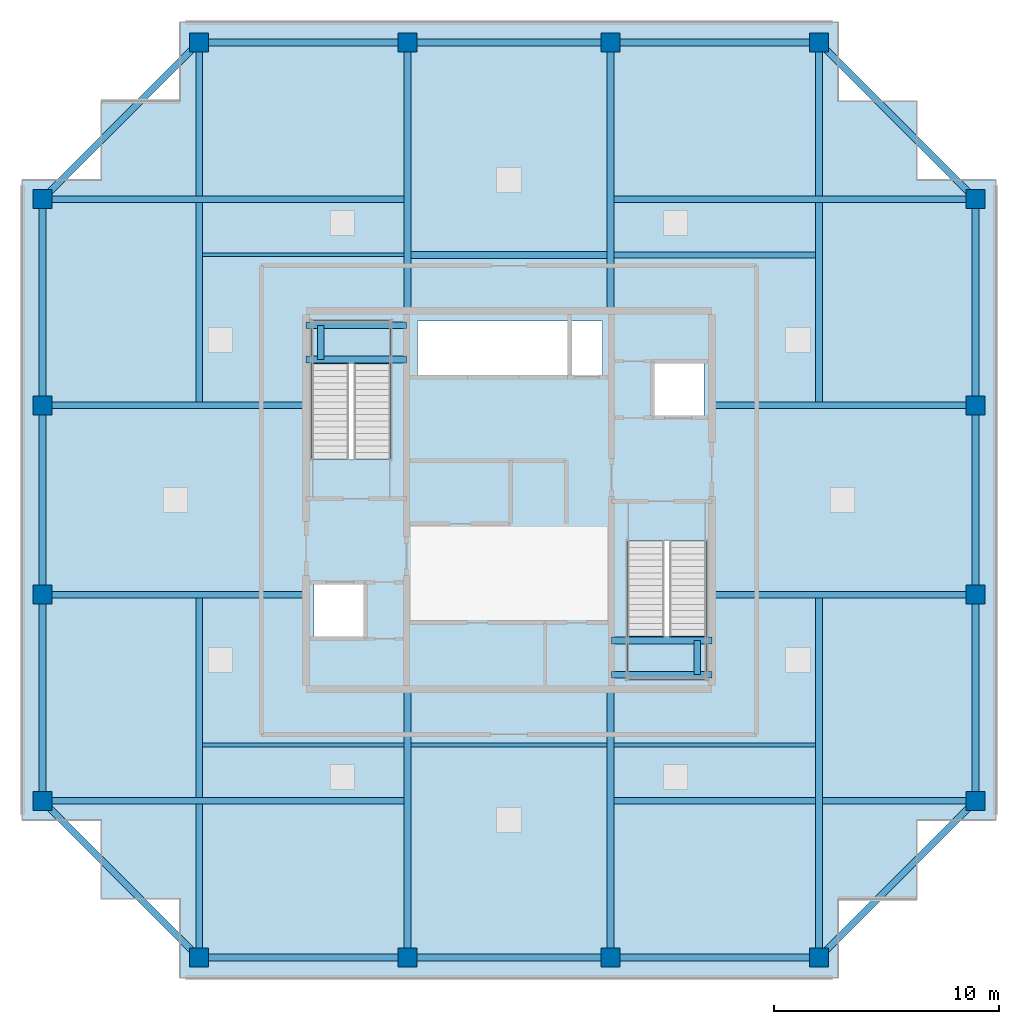
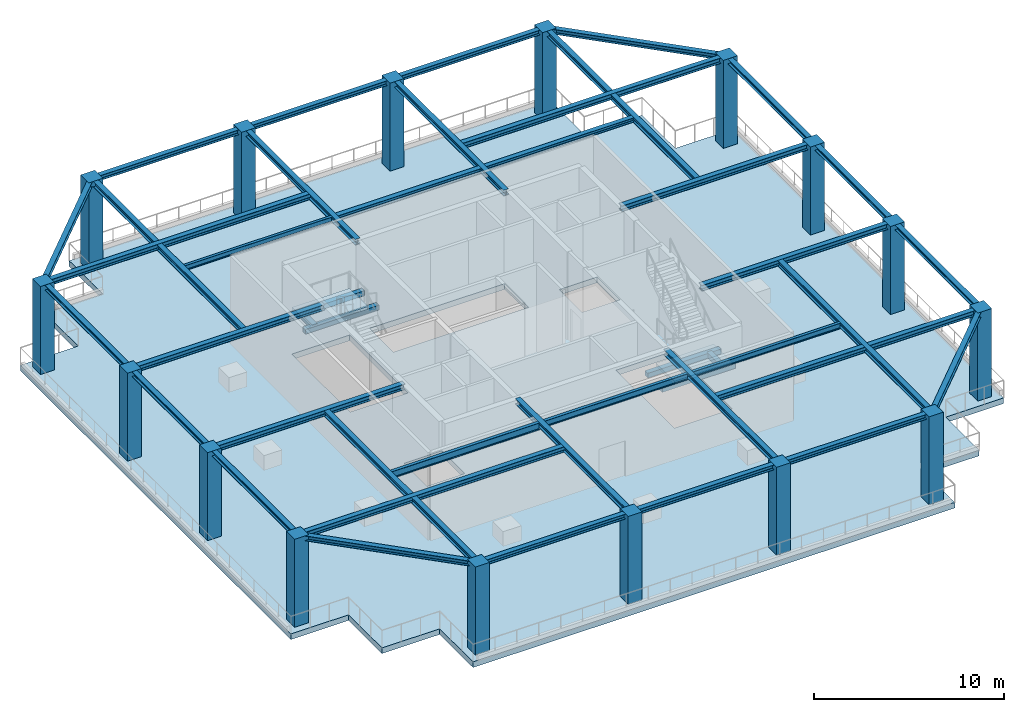
# One storey, part 1 of 10: 44 beams, 16 columns, 3 slabs, 2 elements without a shape of their own.
"""IFC4 building model written with IfcOpenShell, lengths in metres."""

from ifc_helpers import new_model, si_unit, direction, frame, origin, origin_2d, place, context, subcontext, project, spatial, polyline, rectangle, i_section, outline, extrude, source, transform, mapped, material, layer, layer_set, material_profile, profile_set, type_object, element, aggregate, save


model = new_model("IFC4")

# Units and contexts
model_context = context("Model", 3, precision=1e-05, world=origin(), true_north=direction((0.0, 1.0)))
body_context = subcontext(model_context, "Body", "Model", "MODEL_VIEW")
ifc_project = project(units=[si_unit("LENGTHUNIT", "METRE"), si_unit("AREAUNIT", "SQUARE_METRE"), si_unit("VOLUMEUNIT", "CUBIC_METRE"), si_unit("PLANEANGLEUNIT", "RADIAN"), si_unit("MASSUNIT", "GRAM", prefix="KILO")], contexts=[model_context])

# Site, building, storey
site_placement = place(None, origin())
site = spatial("IfcSite", under=ifc_project, at=site_placement, CompositionType="ELEMENT")
building_placement = place(site_placement, origin())
building = spatial("IfcBuilding", under=site, at=building_placement, Name="Serunith Strait Residences", CompositionType="ELEMENT")
storey_placement = place(building_placement, frame((0.0, 0.0, 359.75)))
storey = spatial("IfcBuildingStorey", under=building, at=storey_placement, Name="L88", CompositionType="ELEMENT", Elevation=359.75)

# Columns
ifc_material_1 = material(Name="Concrete C60/75", Category="concrete")
ifc_material_profile_1 = material_profile(ifc_material_1, rectangle(XDim=0.85009765625, YDim=0.85009765625, at=origin_2d()), Name="RC 850x850")
ifc_profile_set_1 = profile_set([ifc_material_profile_1], Name="Concrete C60/75")
column_type = type_object("IfcColumnType", Name="COL-RC-850", PredefinedType="COLUMN", material=ifc_profile_set_1)
shared_shape_1 = source(origin(), body_context, "Body", "SweptSolid", [
    extrude(rectangle(XDim=0.85009765625, YDim=0.85009765625, at=origin_2d()), origin(), (0.0, 0.0, 1.0), 6.0),
])
for number, where, z_axis, x_axis, name in (
    (1, (18.64990234375, 4.89990234375, -0.360107421875), (0.0, 0.0, 1.0), (1.0, 0.0, 0.0), "L88 Tower Mega-Column TC-S1"),
    (2, (27.89990234375, 4.89990234375, -0.360107421875), (0.0, 0.0, 1.0), (1.0, 0.0, 0.0), "L88 Tower Mega-Column TC-S2"),
    (3, (36.89990234375, 4.89990234375, -0.360107421875), (0.0, 0.0, 1.0), (1.0, 0.0, 0.0), "L88 Tower Mega-Column TC-S3"),
    (4, (46.14990234375, 4.89990234375, -0.360107421875), (0.0, 0.0, 1.0), (1.0, 0.0, 0.0), "L88 Tower Mega-Column TC-S4"),
    (5, (18.64990234375, 45.5, -0.360107421875), (0.0, 0.0, 1.0), (1.0, 0.0, 0.0), "L88 Tower Mega-Column TC-N1"),
    (6, (27.89990234375, 45.5, -0.360107421875), (0.0, 0.0, 1.0), (1.0, 0.0, 0.0), "L88 Tower Mega-Column TC-N2"),
    (7, (36.89990234375, 45.5, -0.360107421875), (0.0, 0.0, 1.0), (1.0, 0.0, 0.0), "L88 Tower Mega-Column TC-N3"),
    (8, (46.14990234375, 45.5, -0.360107421875), (0.0, 0.0, 1.0), (1.0, 0.0, 0.0), "L88 Tower Mega-Column TC-N4"),
    (9, (53.10009765625, 11.85009765625, -0.360107421875), (0.0, 0.0, 1.0), (1.0, 0.0, 0.0), "L88 Tower Mega-Column TC-E1"),
    (10, (53.10009765625, 21.0, -0.360107421875), (0.0, 0.0, 1.0), (1.0, 0.0, 0.0), "L88 Tower Mega-Column TC-E2"),
    (11, (53.10009765625, 29.39990234375, -0.360107421875), (0.0, 0.0, 1.0), (1.0, 0.0, 0.0), "L88 Tower Mega-Column TC-E3"),
    (12, (53.10009765625, 38.550048828125, -0.360107421875), (0.0, 0.0, 1.0), (1.0, 0.0, 0.0), "L88 Tower Mega-Column TC-E4"),
    (13, (11.699951171875, 11.85009765625, -0.360107421875), (0.0, 0.0, 1.0), (1.0, 0.0, 0.0), "L88 Tower Mega-Column TC-W1"),
    (14, (11.699951171875, 21.0, -0.360107421875), (0.0, 0.0, 1.0), (1.0, 0.0, 0.0), "L88 Tower Mega-Column TC-W2"),
    (15, (11.699951171875, 29.39990234375, -0.360107421875), (0.0, 0.0, 1.0), (1.0, 0.0, 0.0), "L88 Tower Mega-Column TC-W3"),
    (16, (11.699951171875, 38.550048828125, -0.360107421875), (0.0, 0.0, 1.0), (1.0, 0.0, 0.0), "L88 Tower Mega-Column TC-W4"),
):
    element("IfcColumn", number, at=place(storey_placement, frame(where, z_axis=z_axis, x_axis=x_axis)), inside=storey, type_object=column_type, Name=name, PredefinedType="COLUMN", context=body_context, shape_type="MappedRepresentation", body=[
        mapped(shared_shape_1, transform((0.0, 0.0, 0.0), scale=1.0)),
    ])

# Beams
ifc_material_2 = material(Name="Steel S355J2", Category="steel")
ifc_material_profile_2 = material_profile(ifc_material_2, i_section(OverallWidth=0.179931640625, OverallDepth=0.39990234375, WebThickness=0.008544921875, FlangeThickness=0.013427734375, FilletRadius=0.02099609375, at=origin_2d()), Name="IPE 400")
ifc_profile_set_2 = profile_set([ifc_material_profile_2], Name="Steel S355J2")
beam_type_1 = type_object("IfcBeamType", Name="BM-IPE400", PredefinedType="JOIST", material=ifc_profile_set_2)
shared_shape_2 = source(origin(), body_context, "Body", "SweptSolid", [
    extrude(i_section(OverallWidth=0.179931640625, OverallDepth=0.39990234375, WebThickness=0.008544921875, FlangeThickness=0.013427734375, FilletRadius=0.02099609375, at=origin_2d()), origin(), (0.0, 0.0, 1.0), 8.699951171875),
])
beam_1_placement = place(storey_placement, frame((28.050048828125, 14.324951171875, 5.43701171875), z_axis=(1.0, 0.0, 0.0), x_axis=(0.0, 1.0, 0.0)))
element("IfcBeam", 17, at=beam_1_placement, inside=storey, type_object=beam_type_1, Name="L88 Composite Floor Joist 02", PredefinedType="JOIST", context=body_context, shape_type="MappedRepresentation", body=[
    mapped(shared_shape_2, transform((0.0, 0.0, 0.0), scale=1.0)),
])
ifc_material_profile_3 = material_profile(ifc_material_2, i_section(OverallWidth=0.300048828125, OverallDepth=0.300048828125, WebThickness=0.010986328125, FlangeThickness=0.01904296875, FilletRadius=0.027099609375, at=origin_2d()), Name="HEB 300")
ifc_profile_set_3 = profile_set([ifc_material_profile_3], Name="Steel S355J2")
beam_type_2 = type_object("IfcBeamType", Name="BM-HEB300", PredefinedType="JOIST", material=ifc_profile_set_3)
shared_shape_3 = source(origin(), body_context, "Body", "SweptSolid", [
    extrude(i_section(OverallWidth=0.300048828125, OverallDepth=0.300048828125, WebThickness=0.010986328125, FlangeThickness=0.01904296875, FilletRadius=0.027099609375, at=origin_2d()), origin(), (0.0, 0.0, 1.0), 8.699951171875),
])
beam_2_placement = place(storey_placement, frame((28.050048828125, 36.074951171875, 5.487060546875), z_axis=(1.0, 0.0, 0.0), x_axis=(0.0, 1.0, 0.0)))
element("IfcBeam", 18, at=beam_2_placement, inside=storey, type_object=beam_type_2, Name="L88 Composite Floor Joist 05", PredefinedType="JOIST", context=body_context, shape_type="MappedRepresentation", body=[
    mapped(shared_shape_3, transform((0.0, 0.0, 0.0), scale=1.0)),
])
ifc_material_profile_4 = material_profile(ifc_material_2, i_section(OverallWidth=0.300048828125, OverallDepth=0.360107421875, WebThickness=0.012451171875, FlangeThickness=0.0224609375, FilletRadius=0.027099609375, at=origin_2d()), Name="HEB 360")
ifc_profile_set_4 = profile_set([ifc_material_profile_4], Name="Steel S355J2")
beam_type_3 = type_object("IfcBeamType", Name="BM-HEB360", PredefinedType="BEAM", material=ifc_profile_set_4)
shared_shape_4 = source(origin(), body_context, "Body", "SweptSolid", [
    extrude(i_section(OverallWidth=0.300048828125, OverallDepth=0.360107421875, WebThickness=0.012451171875, FlangeThickness=0.0224609375, FilletRadius=0.027099609375, at=origin_2d()), origin(), (0.0, 0.0, 1.0), 11.900146484375),
])
for number, where, z_axis, x_axis, name in (
    (19, (27.89990234375, 16.800048828125, 5.45703125), (0.0, -1.0, 0.0), (1.0, 0.0, 0.0), "L88 Primary Floor Girder TC-S2"),
    (20, (36.89990234375, 16.800048828125, 5.45703125), (0.0, -1.0, 0.0), (1.0, 0.0, 0.0), "L88 Primary Floor Girder TC-S3"),
):
    element("IfcBeam", number, at=place(storey_placement, frame(where, z_axis=z_axis, x_axis=x_axis)), inside=storey, type_object=beam_type_3, Name=name, PredefinedType="BEAM", context=body_context, shape_type="MappedRepresentation", body=[
        mapped(shared_shape_4, transform((0.0, 0.0, 0.0), scale=1.0)),
    ])
shared_shape_5 = source(origin(), body_context, "Body", "SweptSolid", [
    extrude(i_section(OverallWidth=0.300048828125, OverallDepth=0.360107421875, WebThickness=0.012451171875, FlangeThickness=0.0224609375, FilletRadius=0.027099609375, at=origin_2d()), origin(), (0.0, 0.0, 1.0), 11.89990234375),
])
for number, where, z_axis, x_axis, name in (
    (21, (27.89990234375, 33.60009765625, 5.45703125), (0.0, 1.0, 0.0), (-1.0, 0.0, 0.0), "L88 Primary Floor Girder TC-N2"),
    (22, (36.89990234375, 33.60009765625, 5.45703125), (0.0, 1.0, 0.0), (-1.0, 0.0, 0.0), "L88 Primary Floor Girder TC-N3"),
):
    element("IfcBeam", number, at=place(storey_placement, frame(where, z_axis=z_axis, x_axis=x_axis)), inside=storey, type_object=beam_type_3, Name=name, PredefinedType="BEAM", context=body_context, shape_type="MappedRepresentation", body=[
        mapped(shared_shape_5, transform((0.0, 0.0, 0.0), scale=1.0)),
    ])
shared_shape_6 = source(origin(), body_context, "Body", "SweptSolid", [
    extrude(i_section(OverallWidth=0.300048828125, OverallDepth=0.360107421875, WebThickness=0.012451171875, FlangeThickness=0.0224609375, FilletRadius=0.027099609375, at=origin_2d()), origin(), (0.0, 0.0, 1.0), 11.7001953125),
])
for number, where, z_axis, x_axis, name in (
    (23, (41.39990234375, 21.0, 5.45703125), (1.0, 0.0, 0.0), (0.0, 1.0, 0.0), "L88 Primary Floor Girder TC-E2"),
    (24, (41.39990234375, 29.39990234375, 5.45703125), (1.0, 0.0, 0.0), (0.0, 1.0, 0.0), "L88 Primary Floor Girder TC-E3"),
):
    element("IfcBeam", number, at=place(storey_placement, frame(where, z_axis=z_axis, x_axis=x_axis)), inside=storey, type_object=beam_type_3, Name=name, PredefinedType="BEAM", context=body_context, shape_type="MappedRepresentation", body=[
        mapped(shared_shape_6, transform((0.0, 0.0, 0.0), scale=1.0)),
    ])
shared_shape_7 = source(origin(), body_context, "Body", "SweptSolid", [
    extrude(i_section(OverallWidth=0.300048828125, OverallDepth=0.360107421875, WebThickness=0.012451171875, FlangeThickness=0.0224609375, FilletRadius=0.027099609375, at=origin_2d()), origin(), (0.0, 0.0, 1.0), 11.699951171875),
])
for number, where, z_axis, x_axis, name in (
    (25, (23.39990234375, 21.0, 5.45703125), (-1.0, 0.0, 0.0), (0.0, -1.0, 0.0), "L88 Primary Floor Girder TC-W2"),
    (26, (23.39990234375, 29.39990234375, 5.45703125), (-1.0, 0.0, 0.0), (0.0, -1.0, 0.0), "L88 Primary Floor Girder TC-W3"),
):
    element("IfcBeam", number, at=place(storey_placement, frame(where, z_axis=z_axis, x_axis=x_axis)), inside=storey, type_object=beam_type_3, Name=name, PredefinedType="BEAM", context=body_context, shape_type="MappedRepresentation", body=[
        mapped(shared_shape_7, transform((0.0, 0.0, 0.0), scale=1.0)),
    ])
shared_shape_8 = source(origin(), body_context, "Body", "SweptSolid", [
    extrude(i_section(OverallWidth=0.300048828125, OverallDepth=0.360107421875, WebThickness=0.012451171875, FlangeThickness=0.0224609375, FilletRadius=0.027099609375, at=origin_2d()), origin(), (0.0, 0.0, 1.0), 16.10009765625),
])
for number, where, z_axis, x_axis, name in (
    (27, (18.64990234375, 21.0, 5.45703125), (0.0, -1.0, 0.0), (1.0, 0.0, 0.0), "L88 Orthogonal Corner Girder TC-S1"),
    (28, (46.14990234375, 21.0, 5.45703125), (0.0, -1.0, 0.0), (1.0, 0.0, 0.0), "L88 Orthogonal Corner Girder TC-S4"),
    (29, (18.64990234375, 29.39990234375, 5.45703125), (0.0, 1.0, 0.0), (-1.0, 0.0, 0.0), "L88 Orthogonal Corner Girder TC-N1"),
    (30, (46.14990234375, 29.39990234375, 5.45703125), (0.0, 1.0, 0.0), (-1.0, 0.0, 0.0), "L88 Orthogonal Corner Girder TC-N4"),
):
    element("IfcBeam", number, at=place(storey_placement, frame(where, z_axis=z_axis, x_axis=x_axis)), inside=storey, type_object=beam_type_3, Name=name, PredefinedType="BEAM", context=body_context, shape_type="MappedRepresentation", body=[
        mapped(shared_shape_8, transform((0.0, 0.0, 0.0), scale=1.0)),
    ])
shared_shape_9 = source(origin(), body_context, "Body", "SweptSolid", [
    extrude(i_section(OverallWidth=0.300048828125, OverallDepth=0.360107421875, WebThickness=0.012451171875, FlangeThickness=0.0224609375, FilletRadius=0.027099609375, at=origin_2d()), origin(), (0.0, 0.0, 1.0), 16.2001953125),
])
for number, where, z_axis, x_axis, name in (
    (31, (36.89990234375, 11.85009765625, 5.45703125), (1.0, 0.0, 0.0), (0.0, 1.0, 0.0), "L88 Orthogonal Corner Girder TC-E1"),
    (32, (36.89990234375, 38.550048828125, 5.45703125), (1.0, 0.0, 0.0), (0.0, 1.0, 0.0), "L88 Orthogonal Corner Girder TC-E4"),
):
    element("IfcBeam", number, at=place(storey_placement, frame(where, z_axis=z_axis, x_axis=x_axis)), inside=storey, type_object=beam_type_3, Name=name, PredefinedType="BEAM", context=body_context, shape_type="MappedRepresentation", body=[
        mapped(shared_shape_9, transform((0.0, 0.0, 0.0), scale=1.0)),
    ])
shared_shape_10 = source(origin(), body_context, "Body", "SweptSolid", [
    extrude(i_section(OverallWidth=0.300048828125, OverallDepth=0.360107421875, WebThickness=0.012451171875, FlangeThickness=0.0224609375, FilletRadius=0.027099609375, at=origin_2d()), origin(), (0.0, 0.0, 1.0), 16.199951171875),
])
for number, where, z_axis, x_axis, name in (
    (33, (27.89990234375, 11.85009765625, 5.45703125), (-1.0, 0.0, 0.0), (0.0, -1.0, 0.0), "L88 Orthogonal Corner Girder TC-W1"),
    (34, (27.89990234375, 38.550048828125, 5.45703125), (-1.0, 0.0, 0.0), (0.0, -1.0, 0.0), "L88 Orthogonal Corner Girder TC-W4"),
):
    element("IfcBeam", number, at=place(storey_placement, frame(where, z_axis=z_axis, x_axis=x_axis)), inside=storey, type_object=beam_type_3, Name=name, PredefinedType="BEAM", context=body_context, shape_type="MappedRepresentation", body=[
        mapped(shared_shape_10, transform((0.0, 0.0, 0.0), scale=1.0)),
    ])
ifc_material_profile_5 = material_profile(ifc_material_2, i_section(OverallWidth=0.300048828125, OverallDepth=0.320068359375, WebThickness=0.011474609375, FlangeThickness=0.0205078125, FilletRadius=0.027099609375, at=origin_2d()), Name="HEB 320")
ifc_profile_set_5 = profile_set([ifc_material_profile_5], Name="Steel S355J2")
beam_type_4 = type_object("IfcBeamType", Name="BM-HEB320", PredefinedType="BEAM", material=ifc_profile_set_5)
shared_shape_11 = source(origin(), body_context, "Body", "SweptSolid", [
    extrude(i_section(OverallWidth=0.300048828125, OverallDepth=0.320068359375, WebThickness=0.011474609375, FlangeThickness=0.0205078125, FilletRadius=0.027099609375, at=origin_2d()), origin(), (0.0, 0.0, 1.0), 9.25),
])
for number, where, z_axis, x_axis, name in (
    (35, (18.64990234375, 4.89990234375, 5.47705078125), (1.0, 0.0, 0.0), (0.0, 1.0, 0.0), "L88 Perimeter Ring Beam 01"),
    (36, (36.89990234375, 4.89990234375, 5.47705078125), (1.0, 0.0, 0.0), (0.0, 1.0, 0.0), "L88 Perimeter Ring Beam 03"),
    (37, (46.14990234375, 45.5, 5.47705078125), (-1.0, 0.0, 0.0), (0.0, -1.0, 0.0), "L88 Perimeter Ring Beam 09"),
    (38, (27.89990234375, 45.5, 5.47705078125), (-1.0, 0.0, 0.0), (0.0, -1.0, 0.0), "L88 Perimeter Ring Beam 11"),
):
    element("IfcBeam", number, at=place(storey_placement, frame(where, z_axis=z_axis, x_axis=x_axis)), inside=storey, type_object=beam_type_4, Name=name, PredefinedType="BEAM", context=body_context, shape_type="MappedRepresentation", body=[
        mapped(shared_shape_11, transform((0.0, 0.0, 0.0), scale=1.0)),
    ])
shared_shape_12 = source(origin(), body_context, "Body", "SweptSolid", [
    extrude(i_section(OverallWidth=0.300048828125, OverallDepth=0.320068359375, WebThickness=0.011474609375, FlangeThickness=0.0205078125, FilletRadius=0.027099609375, at=origin_2d()), origin(), (0.0, 0.0, 1.0), 9.0),
])
for number, where, z_axis, x_axis, name in (
    (39, (27.89990234375, 4.89990234375, 5.47705078125), (1.0, 0.0, 0.0), (0.0, 1.0, 0.0), "L88 Perimeter Ring Beam 02"),
    (40, (36.89990234375, 45.5, 5.47705078125), (-1.0, 0.0, 0.0), (0.0, -1.0, 0.0), "L88 Perimeter Ring Beam 10"),
):
    element("IfcBeam", number, at=place(storey_placement, frame(where, z_axis=z_axis, x_axis=x_axis)), inside=storey, type_object=beam_type_4, Name=name, PredefinedType="BEAM", context=body_context, shape_type="MappedRepresentation", body=[
        mapped(shared_shape_12, transform((0.0, 0.0, 0.0), scale=1.0)),
    ])
shared_shape_13 = source(origin(), body_context, "Body", "SweptSolid", [
    extrude(i_section(OverallWidth=0.300048828125, OverallDepth=0.320068359375, WebThickness=0.011474609375, FlangeThickness=0.0205078125, FilletRadius=0.027099609375, at=origin_2d()), origin(), (0.0, 0.0, 1.0), 9.8291015625),
])
beam_3_placement = place(storey_placement, frame((46.14990234375, 4.89990234375, 5.47705078125), z_axis=(0.707106781187, 0.707106781187, 0.0), x_axis=(-0.707106781187, 0.707106781187, 0.0)))
element("IfcBeam", 41, at=beam_3_placement, inside=storey, type_object=beam_type_4, Name="L88 Perimeter Ring Beam 04", PredefinedType="BEAM", context=body_context, shape_type="MappedRepresentation", body=[
    mapped(shared_shape_13, transform((0.0, 0.0, 0.0), scale=1.0)),
])
shared_shape_14 = source(origin(), body_context, "Body", "SweptSolid", [
    extrude(i_section(OverallWidth=0.300048828125, OverallDepth=0.320068359375, WebThickness=0.011474609375, FlangeThickness=0.0205078125, FilletRadius=0.027099609375, at=origin_2d()), origin(), (0.0, 0.0, 1.0), 9.14990234375),
])
for number, where, z_axis, x_axis, name in (
    (42, (53.10009765625, 11.85009765625, 5.47705078125), (0.0, 1.0, 0.0), (-1.0, 0.0, 0.0), "L88 Perimeter Ring Beam 05"),
    (43, (11.699951171875, 21.0, 5.47705078125), (0.0, -1.0, 0.0), (1.0, 0.0, 0.0), "L88 Perimeter Ring Beam 15"),
):
    element("IfcBeam", number, at=place(storey_placement, frame(where, z_axis=z_axis, x_axis=x_axis)), inside=storey, type_object=beam_type_4, Name=name, PredefinedType="BEAM", context=body_context, shape_type="MappedRepresentation", body=[
        mapped(shared_shape_14, transform((0.0, 0.0, 0.0), scale=1.0)),
    ])
shared_shape_15 = source(origin(), body_context, "Body", "SweptSolid", [
    extrude(i_section(OverallWidth=0.300048828125, OverallDepth=0.320068359375, WebThickness=0.011474609375, FlangeThickness=0.0205078125, FilletRadius=0.027099609375, at=origin_2d()), origin(), (0.0, 0.0, 1.0), 8.39990234375),
])
for number, where, z_axis, x_axis, name in (
    (44, (53.10009765625, 21.0, 5.47705078125), (0.0, 1.0, 0.0), (-1.0, 0.0, 0.0), "L88 Perimeter Ring Beam 06"),
    (45, (11.699951171875, 29.39990234375, 5.47705078125), (0.0, -1.0, 0.0), (1.0, 0.0, 0.0), "L88 Perimeter Ring Beam 14"),
):
    element("IfcBeam", number, at=place(storey_placement, frame(where, z_axis=z_axis, x_axis=x_axis)), inside=storey, type_object=beam_type_4, Name=name, PredefinedType="BEAM", context=body_context, shape_type="MappedRepresentation", body=[
        mapped(shared_shape_15, transform((0.0, 0.0, 0.0), scale=1.0)),
    ])
shared_shape_16 = source(origin(), body_context, "Body", "SweptSolid", [
    extrude(i_section(OverallWidth=0.300048828125, OverallDepth=0.320068359375, WebThickness=0.011474609375, FlangeThickness=0.0205078125, FilletRadius=0.027099609375, at=origin_2d()), origin(), (0.0, 0.0, 1.0), 9.150146484375),
])
for number, where, z_axis, x_axis, name in (
    (46, (53.10009765625, 29.39990234375, 5.47705078125), (0.0, 1.0, 0.0), (-1.0, 0.0, 0.0), "L88 Perimeter Ring Beam 07"),
    (47, (11.699951171875, 38.550048828125, 5.47705078125), (0.0, -1.0, 0.0), (1.0, 0.0, 0.0), "L88 Perimeter Ring Beam 13"),
):
    element("IfcBeam", number, at=place(storey_placement, frame(where, z_axis=z_axis, x_axis=x_axis)), inside=storey, type_object=beam_type_4, Name=name, PredefinedType="BEAM", context=body_context, shape_type="MappedRepresentation", body=[
        mapped(shared_shape_16, transform((0.0, 0.0, 0.0), scale=1.0)),
    ])
shared_shape_17 = source(origin(), body_context, "Body", "SweptSolid", [
    extrude(i_section(OverallWidth=0.300048828125, OverallDepth=0.320068359375, WebThickness=0.011474609375, FlangeThickness=0.0205078125, FilletRadius=0.027099609375, at=origin_2d()), origin(), (0.0, 0.0, 1.0), 9.828857421875),
])
for number, where, z_axis, x_axis, name in (
    (48, (53.10009765625, 38.550048828125, 5.47705078125), (-0.707119200622, 0.707094361533, 0.0), (-0.707094361533, -0.707119200622, 0.0), "L88 Perimeter Ring Beam 08"),
    (49, (11.699951171875, 11.85009765625, 5.47705078125), (0.707094361533, -0.707119200622, 0.0), (0.707119200622, 0.707094361533, 0.0), "L88 Perimeter Ring Beam 16"),
):
    element("IfcBeam", number, at=place(storey_placement, frame(where, z_axis=z_axis, x_axis=x_axis)), inside=storey, type_object=beam_type_4, Name=name, PredefinedType="BEAM", context=body_context, shape_type="MappedRepresentation", body=[
        mapped(shared_shape_17, transform((0.0, 0.0, 0.0), scale=1.0)),
    ])
shared_shape_18 = source(origin(), body_context, "Body", "SweptSolid", [
    extrude(i_section(OverallWidth=0.300048828125, OverallDepth=0.320068359375, WebThickness=0.011474609375, FlangeThickness=0.0205078125, FilletRadius=0.027099609375, at=origin_2d()), origin(), (0.0, 0.0, 1.0), 9.82861328125),
])
beam_4_placement = place(storey_placement, frame((18.64990234375, 45.5, 5.47705078125), z_axis=(-0.707106781187, -0.707106781187, 0.0), x_axis=(0.707106781187, -0.707106781187, 0.0)))
element("IfcBeam", 50, at=beam_4_placement, inside=storey, type_object=beam_type_4, Name="L88 Perimeter Ring Beam 12", PredefinedType="BEAM", context=body_context, shape_type="MappedRepresentation", body=[
    mapped(shared_shape_18, transform((0.0, 0.0, 0.0), scale=1.0)),
])
ifc_material_profile_6 = material_profile(ifc_material_2, i_section(OverallWidth=0.280029296875, OverallDepth=0.280029296875, WebThickness=0.010498046875, FlangeThickness=0.01806640625, FilletRadius=0.02392578125, at=origin_2d()), Name="HEB 280")
ifc_profile_set_6 = profile_set([ifc_material_profile_6], Name="Steel S355J2")
beam_type_5 = type_object("IfcBeamType", Name="BM-HEB280", PredefinedType="JOIST", material=ifc_profile_set_6)
shared_shape_19 = source(origin(), body_context, "Body", "SweptSolid", [
    extrude(i_section(OverallWidth=0.280029296875, OverallDepth=0.280029296875, WebThickness=0.010498046875, FlangeThickness=0.01806640625, FilletRadius=0.02392578125, at=origin_2d()), origin(), (0.0, 0.0, 1.0), 8.949951171875),
])
beam_5_placement = place(storey_placement, frame((37.050048828125, 36.074951171875, 5.4970703125), z_axis=(1.0, 0.0, 0.0), x_axis=(0.0, 1.0, 0.0)))
element("IfcBeam", 51, at=beam_5_placement, inside=storey, type_object=beam_type_5, Name="L88 Composite Floor Joist 06", PredefinedType="JOIST", context=body_context, shape_type="MappedRepresentation", body=[
    mapped(shared_shape_19, transform((0.0, 0.0, 0.0), scale=1.0)),
])
ifc_material_profile_7 = material_profile(ifc_material_2, i_section(OverallWidth=0.18994140625, OverallDepth=0.449951171875, WebThickness=0.009521484375, FlangeThickness=0.0146484375, FilletRadius=0.02099609375, at=origin_2d()), Name="IPE 450")
ifc_profile_set_7 = profile_set([ifc_material_profile_7], Name="Steel S355J2")
beam_type_6 = type_object("IfcBeamType", Name="BM-IPE450", PredefinedType="JOIST", material=ifc_profile_set_7)
shared_shape_20 = source(origin(), body_context, "Body", "SweptSolid", [
    extrude(i_section(OverallWidth=0.18994140625, OverallDepth=0.449951171875, WebThickness=0.009521484375, FlangeThickness=0.0146484375, FilletRadius=0.02099609375, at=origin_2d()), origin(), (0.0, 0.0, 1.0), 8.949951171875),
])
beam_6_placement = place(storey_placement, frame((18.800048828125, 14.324951171875, 5.412109375), z_axis=(1.0, 0.0, 0.0), x_axis=(0.0, 1.0, 0.0)))
element("IfcBeam", 52, at=beam_6_placement, inside=storey, type_object=beam_type_6, Name="L88 Composite Floor Joist 01", PredefinedType="JOIST", context=body_context, shape_type="MappedRepresentation", body=[
    mapped(shared_shape_20, transform((0.0, 0.0, 0.0), scale=1.0)),
])
ifc_material_profile_8 = material_profile(ifc_material_2, i_section(OverallWidth=0.169921875, OverallDepth=0.360107421875, WebThickness=0.008056640625, FlangeThickness=0.0126953125, FilletRadius=0.01806640625, at=origin_2d()), Name="IPE 360")
ifc_profile_set_8 = profile_set([ifc_material_profile_8], Name="Steel S355J2")
beam_type_7 = type_object("IfcBeamType", Name="BM-IPE360", PredefinedType="JOIST", material=ifc_profile_set_8)
shared_shape_21 = source(origin(), body_context, "Body", "SweptSolid", [
    extrude(i_section(OverallWidth=0.169921875, OverallDepth=0.360107421875, WebThickness=0.008056640625, FlangeThickness=0.0126953125, FilletRadius=0.01806640625, at=origin_2d()), origin(), (0.0, 0.0, 1.0), 8.949951171875),
])
beam_7_placement = place(storey_placement, frame((37.050048828125, 14.324951171875, 5.45703125), z_axis=(1.0, 0.0, 0.0), x_axis=(0.0, 1.0, 0.0)))
element("IfcBeam", 53, at=beam_7_placement, inside=storey, type_object=beam_type_7, Name="L88 Composite Floor Joist 03", PredefinedType="JOIST", context=body_context, shape_type="MappedRepresentation", body=[
    mapped(shared_shape_21, transform((0.0, 0.0, 0.0), scale=1.0)),
])
ifc_material_profile_9 = material_profile(ifc_material_2, i_section(OverallWidth=0.159912109375, OverallDepth=0.330078125, WebThickness=0.007568359375, FlangeThickness=0.011474609375, FilletRadius=0.01806640625, at=origin_2d()), Name="IPE 330")
ifc_profile_set_9 = profile_set([ifc_material_profile_9], Name="Steel S355J2")
beam_type_8 = type_object("IfcBeamType", Name="BM-IPE330", PredefinedType="JOIST", material=ifc_profile_set_9)
shared_shape_22 = source(origin(), body_context, "Body", "SweptSolid", [
    extrude(i_section(OverallWidth=0.159912109375, OverallDepth=0.330078125, WebThickness=0.007568359375, FlangeThickness=0.011474609375, FilletRadius=0.01806640625, at=origin_2d()), origin(), (0.0, 0.0, 1.0), 8.949951171875),
])
beam_8_placement = place(storey_placement, frame((18.800048828125, 36.074951171875, 5.471923828125), z_axis=(1.0, 0.0, 0.0), x_axis=(0.0, 1.0, 0.0)))
element("IfcBeam", 54, at=beam_8_placement, inside=storey, type_object=beam_type_8, Name="L88 Composite Floor Joist 04", PredefinedType="JOIST", context=body_context, shape_type="MappedRepresentation", body=[
    mapped(shared_shape_22, transform((0.0, 0.0, 0.0), scale=1.0)),
])
ifc_material_profile_10 = material_profile(ifc_material_1, rectangle(XDim=0.300048828125, YDim=0.300048828125, at=origin_2d()), Name="RC 300x300")
ifc_profile_set_10 = profile_set([ifc_material_profile_10], Name="Concrete C60/75")
beam_type_9 = type_object("IfcBeamType", Name="BM-LAND-300x300", PredefinedType="BEAM", material=ifc_profile_set_10)
shared_shape_23 = source(origin(), body_context, "Body", "SweptSolid", [
    extrude(rectangle(XDim=0.300048828125, YDim=0.300048828125, at=origin_2d()), origin(), (0.0, 0.0, 1.0), 4.4501953125),
])
for number, where, z_axis, x_axis, name in (
    (55, (23.39990234375, 31.429931640625, 2.64990234375), (1.0, 0.0, 0.0), (0.0, 1.0, 0.0), "L88 ST-1 Landing Support Beam 1"),
    (56, (23.39990234375, 32.949951171875, 2.64990234375), (1.0, 0.0, 0.0), (0.0, 1.0, 0.0), "L88 ST-1 Landing Support Beam 2"),
):
    element("IfcBeam", number, at=place(storey_placement, frame(where, z_axis=z_axis, x_axis=x_axis)), inside=storey, type_object=beam_type_9, Name=name, PredefinedType="BEAM", context=body_context, shape_type="MappedRepresentation", body=[
        mapped(shared_shape_23, transform((0.0, 0.0, 0.0), scale=1.0)),
    ])
shared_shape_24 = source(origin(), body_context, "Body", "SweptSolid", [
    extrude(rectangle(XDim=0.300048828125, YDim=0.300048828125, at=origin_2d()), origin(), (0.0, 0.0, 1.0), 1.52001953125),
])
for number, where, z_axis, x_axis, name in (
    (57, (24.050048828125, 31.429931640625, 2.64990234375), (0.0, 1.0, 0.0), (-1.0, 0.0, 0.0), "L88 ST-1 Landing Transverse Tie Beam"),
    (58, (40.75, 17.449951171875, 2.64990234375), (0.0, 1.0, 0.0), (-1.0, 0.0, 0.0), "L88 ST-2 Landing Transverse Tie Beam"),
):
    element("IfcBeam", number, at=place(storey_placement, frame(where, z_axis=z_axis, x_axis=x_axis)), inside=storey, type_object=beam_type_9, Name=name, PredefinedType="BEAM", context=body_context, shape_type="MappedRepresentation", body=[
        mapped(shared_shape_24, transform((0.0, 0.0, 0.0), scale=1.0)),
    ])
shared_shape_25 = source(origin(), body_context, "Body", "SweptSolid", [
    extrude(rectangle(XDim=0.300048828125, YDim=0.300048828125, at=origin_2d()), origin(), (0.0, 0.0, 1.0), 4.449951171875),
])
for number, where, z_axis, x_axis, name in (
    (59, (36.949951171875, 17.449951171875, 2.64990234375), (1.0, 0.0, 0.0), (0.0, 1.0, 0.0), "L88 ST-2 Landing Support Beam 1"),
    (60, (36.949951171875, 18.969970703125, 2.64990234375), (1.0, 0.0, 0.0), (0.0, 1.0, 0.0), "L88 ST-2 Landing Support Beam 2"),
):
    element("IfcBeam", number, at=place(storey_placement, frame(where, z_axis=z_axis, x_axis=x_axis)), inside=storey, type_object=beam_type_9, Name=name, PredefinedType="BEAM", context=body_context, shape_type="MappedRepresentation", body=[
        mapped(shared_shape_25, transform((0.0, 0.0, 0.0), scale=1.0)),
    ])

# Stair, slab
ifc_material_3 = material(Name="Concrete C50/60", Category="concrete")
stair_type_1 = type_object("IfcStairType", Name="STR-CORE-1", PredefinedType="HALF_TURN_STAIR", material=ifc_material_3)
stair_1_placement = place(storey_placement, origin())
stair_1 = element("IfcStair", 61, at=stair_1_placement, inside=storey, type_object=stair_type_1, Name="L88 Protected Escape Stair ST-1", PredefinedType="HALF_TURN_STAIR")
ifc_layer_1 = layer(ifc_material_3, 0.199951171875, Name="Concrete C50/60")
ifc_layer_set_1 = layer_set([ifc_layer_1], Name="Concrete C50/60")
slab_type_1 = type_object("IfcSlabType", Name="SLB-LAND-200", PredefinedType="LANDING", material=ifc_layer_set_1)
slab_1_placement = place(storey_placement, frame((0.0, 0.0, 2.800048828125)))
slab_1 = element("IfcSlab", 62, at=slab_1_placement, type_object=slab_type_1, Name="ST-1 landing 1", PredefinedType="LANDING", context=body_context, shape_type="SweptSolid", body=[
    extrude(outline(polyline([(27.14990234375, 31.22998046875), (27.14990234375, 33.14990234375), (23.64990234375, 33.14990234375), (23.64990234375, 31.22998046875), (27.14990234375, 31.22998046875)])), origin(), (0.0, 0.0, 1.0), 0.199951171875),
])
aggregate(stair_1, [slab_1])

stair_type_2 = type_object("IfcStairType", Name="STR-CORE-2", PredefinedType="HALF_TURN_STAIR", material=ifc_material_3)
stair_2_placement = place(storey_placement, origin())
stair_2 = element("IfcStair", 63, at=stair_2_placement, inside=storey, type_object=stair_type_2, Name="L88 Protected Escape Stair ST-2", PredefinedType="HALF_TURN_STAIR")
slab_2_placement = place(storey_placement, frame((0.0, 0.0, 2.800048828125)))
slab_2 = element("IfcSlab", 64, at=slab_2_placement, type_object=slab_type_1, Name="ST-2 landing 1", PredefinedType="LANDING", context=body_context, shape_type="SweptSolid", body=[
    extrude(outline(polyline([(37.64990234375, 19.169921875), (37.64990234375, 17.25), (41.14990234375, 17.25), (41.14990234375, 19.169921875), (37.64990234375, 19.169921875)])), origin(), (0.0, 0.0, 1.0), 0.199951171875),
])
aggregate(stair_2, [slab_2])

# Slab
ifc_layer_2 = layer(ifc_material_1, 0.360107421875, Name="Concrete C60/75")
ifc_layer_set_2 = layer_set([ifc_layer_2], Name="Concrete C60/75")
slab_type_2 = type_object("IfcSlabType", Name="SLB-TERR-360", PredefinedType="FLOOR", material=ifc_layer_set_2)
slab_3_placement = place(storey_placement, frame((0.0, 0.0, -0.360107421875)))
element("IfcSlab", 65, at=slab_3_placement, inside=storey, type_object=slab_type_2, Name="Crown Sky Garden Terrace Slab", PredefinedType="FLOOR", context=body_context, shape_type="SweptSolid", body=[
    extrude(outline(polyline([(17.800048828125, 7.5), (14.300048828125, 7.5), (14.300048828125, 11.0), (10.800048828125, 11.0), (10.800048828125, 39.39990234375), (14.300048828125, 39.39990234375), (14.300048828125, 42.89990234375), (17.800048828125, 42.89990234375), (17.800048828125, 46.39990234375), (47.0, 46.39990234375), (47.0, 42.89990234375), (50.5, 42.89990234375), (50.5, 39.39990234375), (54.0, 39.39990234375), (54.0, 11.0), (50.5, 11.0), (50.5, 7.5), (47.0, 7.5), (47.0, 4.0), (17.800048828125, 4.0), (17.800048828125, 7.5)]), holes=[polyline([(41.14990234375, 23.3701171875), (37.64990234375, 23.3701171875), (37.64990234375, 17.25), (41.14990234375, 17.25), (41.14990234375, 23.3701171875)]), polyline([(38.75, 31.25), (38.75, 28.85009765625), (41.050048828125, 28.85009765625), (41.050048828125, 31.25), (38.75, 31.25)]), polyline([(36.550048828125, 33.14990234375), (28.35009765625, 33.14990234375), (28.35009765625, 30.64990234375), (36.550048828125, 30.64990234375), (36.550048828125, 33.14990234375)]), polyline([(23.64990234375, 33.14990234375), (23.64990234375, 27.030029296875), (27.14990234375, 27.030029296875), (27.14990234375, 33.14990234375), (23.64990234375, 33.14990234375)]), polyline([(23.75, 21.550048828125), (23.75, 19.14990234375), (26.050048828125, 19.14990234375), (26.050048828125, 21.550048828125), (23.75, 21.550048828125)])]), origin(), (0.0, 0.0, 1.0), 0.360107421875),
])

save(model, "model.ifc")
